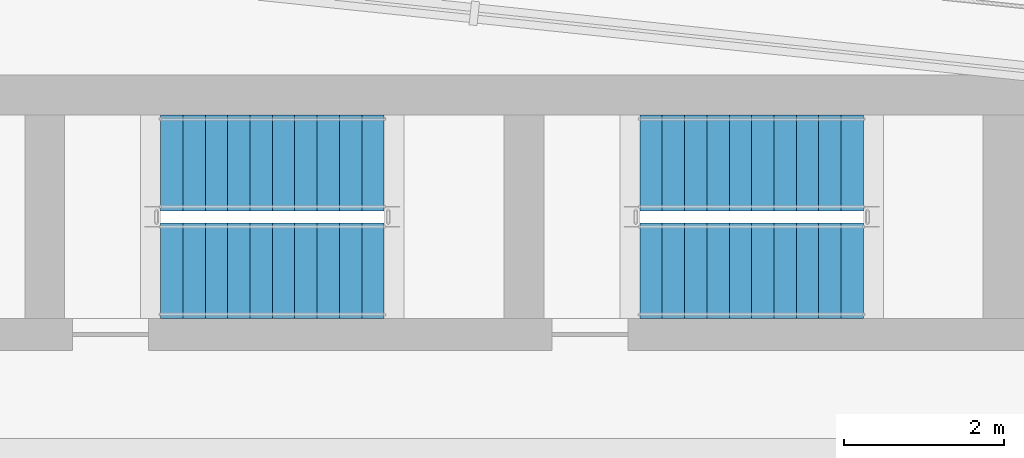
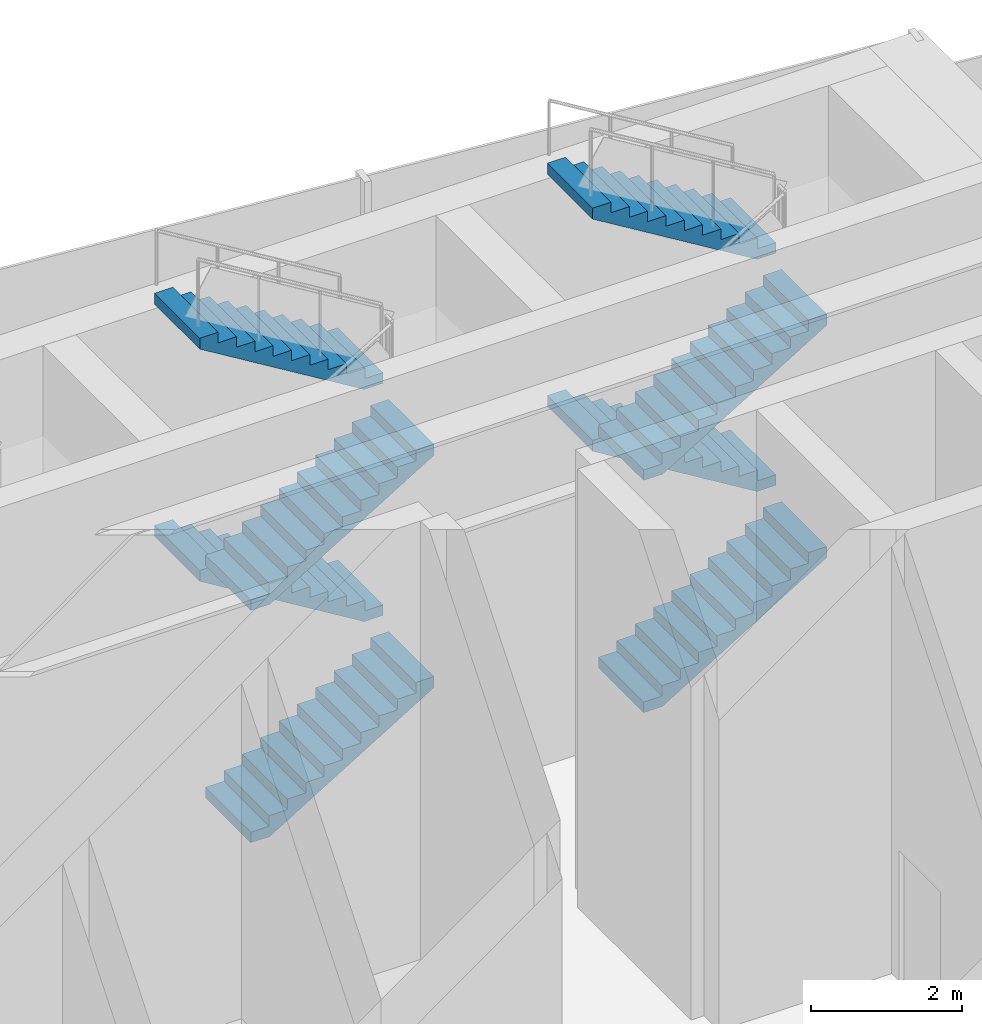
# One storey, part 10 of 14: 8 stair flights, 2 elements without a shape of their own.
"""IFC4 building model written with IfcOpenShell, lengths in metres."""

import ifcopenshell
import ifcopenshell.guid

model = None  # the IFC model being written
_history = None  # IfcOwnerHistory: only IFC2X3 demands one
_inside = {}  # id of a spatial element -> (the spatial element, [elements in it])
_under = {}  # id of a project, library or spatial element -> (it, [spatial elements below it])
_declared = {}  # id of a project -> (the project, [libraries it declares])
_typed = {}  # id of a type object -> (the type object, [elements of that type])
_made_of = {}  # id of a material, layer set ... -> (it, [elements and type objects made of it])


def new_model(schema):
    """Start an empty IFC model of exactly this schema.

    Asked for "IFC4X3", IfcOpenShell would pick the latest addendum, in which some entities
    have other attributes; the version numbers below select the first issue.
    IFC2X3 requires an IfcOwnerHistory on every rooted entity: one is made here for all.
    """
    global model, _history
    if schema == "IFC4X3":
        model = ifcopenshell.file(schema_version=(4, 3, 0, 0))
    else:
        model = ifcopenshell.file(schema=schema)
    _inside.clear()
    _under.clear()
    _declared.clear()
    _typed.clear()
    _made_of.clear()
    _history = None
    if model.schema == "IFC2X3":
        org = make("IfcOrganization", Name="unknown")
        user = make(
            "IfcPersonAndOrganization",
            ThePerson=make("IfcPerson", FamilyName="unknown"),
            TheOrganization=org,
        )
        app = make(
            "IfcApplication",
            ApplicationDeveloper=org,
            Version="unknown",
            ApplicationFullName="unknown",
            ApplicationIdentifier="unknown",
        )
        _history = make(
            "IfcOwnerHistory",
            OwningUser=user,
            OwningApplication=app,
            ChangeAction="ADDED",
            CreationDate=0,
        )
    return model


def make(cls, **values):
    """One entity of the class cls with the attributes given. An attribute that is None is left unset."""
    return model.create_entity(
        cls, **{name: value for name, value in values.items() if value is not None}
    )


def rooted(cls, **values):
    """An entity with a GlobalId (a new one), such as an element, a storey or a relation."""
    return make(cls, GlobalId=ifcopenshell.guid.new(), OwnerHistory=_history, **values)


def si_unit(unit_type, name, prefix=None):
    """IfcSIUnit, for example si_unit("LENGTHUNIT", "METRE", prefix="MILLI")."""
    return make("IfcSIUnit", UnitType=unit_type, Prefix=prefix, Name=name)


def assignment(units):
    """IfcUnitAssignment: the units of a project."""
    return None if units is None else make("IfcUnitAssignment", Units=units)


def point(xyz):
    """IfcCartesianPoint."""
    return None if xyz is None else make("IfcCartesianPoint", Coordinates=xyz)


def direction(xyz):
    """IfcDirection."""
    return None if xyz is None else make("IfcDirection", DirectionRatios=xyz)


def frame(location, z_axis=None, x_axis=None):
    """IfcAxis2Placement3D, a coordinate frame: its origin and axes. An axis left out is left unset."""
    return make(
        "IfcAxis2Placement3D",
        Location=point(location),
        Axis=direction(z_axis),
        RefDirection=direction(x_axis),
    )


def origin():
    """The frame at (0, 0, 0) with its axes left unset."""
    return frame((0.0, 0.0, 0.0))


def place(relative_to, where):
    """IfcLocalPlacement: puts the frame where relative to a parent placement (None: the world)."""
    return make(
        "IfcLocalPlacement", PlacementRelTo=relative_to, RelativePlacement=where
    )


def context(
    kind, dimensions, precision=None, world=None, true_north=None, identifier=None
):
    """IfcGeometricRepresentationContext, for example the 3D "Model" context."""
    return make(
        "IfcGeometricRepresentationContext",
        ContextIdentifier=identifier,
        ContextType=kind,
        CoordinateSpaceDimension=dimensions,
        Precision=precision,
        WorldCoordinateSystem=world,
        TrueNorth=true_north,
    )


def subcontext(parent, identifier, kind, view, scale=None):
    """IfcGeometricRepresentationSubContext, for example "Body" below "Model"."""
    return make(
        "IfcGeometricRepresentationSubContext",
        ContextIdentifier=identifier,
        ContextType=kind,
        ParentContext=parent,
        TargetScale=scale,
        TargetView=view,
    )


def project(units=None, contexts=None):
    """IfcProject with its units and contexts."""
    return rooted(
        "IfcProject",
        Name="project",
        RepresentationContexts=contexts,
        UnitsInContext=assignment(units),
    )


def spatial(cls, under=None, at=None, **own):
    """A site, building, storey or space (cls), placed at a placement, below another one or the project."""
    s = rooted(cls, ObjectPlacement=at, **own)
    if under is not None:
        _under.setdefault(under.id(), (under, []))[1].append(s)
    return s


def polyline(points):
    """IfcPolyline through the points."""
    return make("IfcPolyline", Points=[point(p) for p in points])


def outline(outer, holes=None, kind="AREA"):
    """IfcArbitraryClosedProfileDef: a profile drawn as a closed curve; with holes, ...WithVoids."""
    if holes is None:
        return make("IfcArbitraryClosedProfileDef", ProfileType=kind, OuterCurve=outer)
    return make(
        "IfcArbitraryProfileDefWithVoids",
        ProfileType=kind,
        OuterCurve=outer,
        InnerCurves=holes,
    )


def extrude(swept, where, along, depth):
    """IfcExtrudedAreaSolid: the profile swept, set in the frame where, extruded along a direction by depth."""
    return make(
        "IfcExtrudedAreaSolid",
        SweptArea=swept,
        Position=where,
        ExtrudedDirection=direction(along),
        Depth=depth,
    )


def shape(context_of_items, identifier, shape_type, items):
    """IfcShapeRepresentation: the items that make up one representation, for example the "Body"."""
    return make(
        "IfcShapeRepresentation",
        ContextOfItems=context_of_items,
        RepresentationIdentifier=identifier,
        RepresentationType=shape_type,
        Items=items,
    )


def material(Name=None, Category=None):
    """IfcMaterial."""
    return make("IfcMaterial", Name=Name, Category=Category)


def made_of(thing, what):
    """Note that an element or type object is made of a material, layer set ...; save() writes the relation."""
    if what is not None:
        _made_of.setdefault(what.id(), (what, []))[1].append(thing)
    return thing


def type_object(cls, material=None, **own):
    """A type object (cls), such as IfcWallType, which elements share."""
    return made_of(rooted(cls, **own), material)


def element(
    cls,
    number,
    at=None,
    inside=None,
    cuts=None,
    type_object=None,
    material=None,
    context=None,
    identifier="Body",
    shape_type=None,
    held_by="IfcProductDefinitionShape",
    body=None,
    shapes=None,
    **own,
):
    """One element of the class cls, such as IfcWall. Its Tag is "e" and its number.

    at: its placement. inside: the storey or other place that contains it. cuts: it is an
    opening in that element (IfcRelVoidsElement). A single representation is given by context,
    identifier, shape_type and body (its items); several are given by shapes. held_by: the class
    of the entity that holds the representations. save() writes the other relations.
    """
    e = rooted(cls, Tag="e%d" % number, ObjectPlacement=at, **own)
    if body is not None:
        shapes = [shape(context, identifier, shape_type, body)]
    if shapes is not None:
        e.Representation = make(held_by, Representations=shapes)
    if inside is not None:
        _inside.setdefault(inside.id(), (inside, []))[1].append(e)
    if cuts is not None:
        rooted(
            "IfcRelVoidsElement", RelatingBuildingElement=cuts, RelatedOpeningElement=e
        )
    if type_object is not None:
        _typed.setdefault(type_object.id(), (type_object, []))[1].append(e)
    return made_of(e, material)


def aggregate(whole, parts):
    """IfcRelAggregates: a whole, such as a stair, and the parts it consists of."""
    return rooted("IfcRelAggregates", RelatingObject=whole, RelatedObjects=parts)


def save(model, path):
    """Write the relations noted so far, then the file.

    IfcRelAggregates (storeys below a building ...), IfcRelContainedInSpatialStructure (elements
    in a storey), IfcRelDefinesByType, IfcRelAssociatesMaterial and IfcRelDeclares: one each for
    every whole, place, type object, material and project.
    """
    for whole, parts in _under.values():
        aggregate(whole, parts)
    for where, things in _inside.values():
        rooted(
            "IfcRelContainedInSpatialStructure",
            RelatedElements=things,
            RelatingStructure=where,
        )
    for kind, things in _typed.values():
        rooted("IfcRelDefinesByType", RelatedObjects=things, RelatingType=kind)
    for what, things in _made_of.values():
        rooted("IfcRelAssociatesMaterial", RelatedObjects=things, RelatingMaterial=what)
    for by, libraries in _declared.values():
        rooted("IfcRelDeclares", RelatingContext=by, RelatedDefinitions=libraries)
    model.write(path)


model = new_model("IFC4")

# Units and contexts
model_context = context("Model", 3, precision=1e-05, world=origin(), true_north=direction((0.0, 1.0)))
body_context = subcontext(model_context, "Body", "Model", "MODEL_VIEW")
ifc_project = project(units=[si_unit("LENGTHUNIT", "METRE"), si_unit("AREAUNIT", "SQUARE_METRE"), si_unit("VOLUMEUNIT", "CUBIC_METRE"), si_unit("PLANEANGLEUNIT", "RADIAN"), si_unit("MASSUNIT", "GRAM", prefix="KILO")], contexts=[model_context])

# Site, building, storey
site_placement = place(None, origin())
site = spatial("IfcSite", under=ifc_project, at=site_placement, CompositionType="ELEMENT")
building_placement = place(site_placement, origin())
building = spatial("IfcBuilding", under=site, at=building_placement, Name="Vidyagriha Tower", CompositionType="ELEMENT")
storey_placement = place(building_placement, frame((0.0, 0.0, 301.699951171875)))
storey = spatial("IfcBuildingStorey", under=building, at=storey_placement, Name="L78", CompositionType="ELEMENT", Elevation=301.699951171875)

# Stair, stair flights
ifc_material_1 = material(Name="Concrete C40/50", Category="concrete")
stair_type = type_object("IfcStairType", Name="Exit stair, half-turn, precast flights", PredefinedType="HALF_TURN_STAIR", material=ifc_material_1)
stair_1_placement = place(storey_placement, origin())
stair_1 = element("IfcStair", 1, at=stair_1_placement, inside=storey, type_object=stair_type, Name="L78 Exit Stair ST2", PredefinedType="HALF_TURN_STAIR")
ifc_material_2 = material(Name="Precast concrete C40/50", Category="concrete")
stair_flight_type = type_object("IfcStairFlightType", Name="Exit stair flight 1200 mm, precast", PredefinedType="STRAIGHT", material=ifc_material_2)
stair_flight_1_placement = place(storey_placement, frame((-2.0, 17.550048828125, 0.0)))
stair_flight_1 = element("IfcStairFlight", 2, at=stair_flight_1_placement, type_object=stair_flight_type, Name="ST2 flight 1", NumberOfRisers=11, NumberOfTreads=10, PredefinedType="STRAIGHT", RiserHeight=0.170454545, TreadLength=0.28, context=body_context, shape_type="SweptSolid", body=[
    extrude(outline(polyline([(0.0, 0.0), (0.0, 0.17041015625), (0.280029296875, 0.17041015625), (0.280029296875, 0.3408203125), (0.56005859375, 0.3408203125), (0.56005859375, 0.511474609375), (0.840087890625, 0.511474609375), (0.840087890625, 0.681884765625), (1.1201171875, 0.681884765625), (1.1201171875, 0.852294921875), (1.39990234375, 0.852294921875), (1.39990234375, 1.022705078125), (1.679931640625, 1.022705078125), (1.679931640625, 1.193115234375), (1.9599609375, 1.193115234375), (1.9599609375, 1.363525390625), (2.239990234375, 1.363525390625), (2.239990234375, 1.5341796875), (2.52001953125, 1.5341796875), (2.52001953125, 1.70458984375), (2.800048828125, 1.70458984375), (2.800048828125, 1.875), (2.800048828125, 1.529052734375), (0.288330078125, 0.0), (0.0, 0.0)])), frame((0.0, 0.60009765625, 0.0), z_axis=(0.0, -1.0, 0.0), x_axis=(1.0, 0.0, 0.0)), (0.0, 0.0, 1.0), 1.199951171875),
])
stair_flight_2_placement = place(storey_placement, frame((0.800048828125, 18.89990234375, 1.875), z_axis=(0.0, 0.0, 1.0), x_axis=(-1.0, 0.0, 0.0)))
stair_flight_2 = element("IfcStairFlight", 3, at=stair_flight_2_placement, type_object=stair_flight_type, Name="ST2 flight 2", NumberOfRisers=11, NumberOfTreads=10, PredefinedType="STRAIGHT", RiserHeight=0.170454545, TreadLength=0.28, context=body_context, shape_type="SweptSolid", body=[
    extrude(outline(polyline([(0.0, 0.0), (0.0, 0.17041015625), (0.280029296875, 0.17041015625), (0.280029296875, 0.3408203125), (0.56005859375, 0.3408203125), (0.56005859375, 0.511474609375), (0.840087890625, 0.511474609375), (0.840087890625, 0.681884765625), (1.1201171875, 0.681884765625), (1.1201171875, 0.852294921875), (1.39990234375, 0.852294921875), (1.39990234375, 1.022705078125), (1.679931640625, 1.022705078125), (1.679931640625, 1.193115234375), (1.9599609375, 1.193115234375), (1.9599609375, 1.363525390625), (2.239990234375, 1.363525390625), (2.239990234375, 1.5341796875), (2.52001953125, 1.5341796875), (2.52001953125, 1.70458984375), (2.800048828125, 1.70458984375), (2.800048828125, 1.875), (2.800048828125, 1.529052734375), (0.288330078125, 0.0), (0.0, 0.0)])), frame((0.0, 0.60009765625, 0.0), z_axis=(0.0, -1.0, 0.0), x_axis=(1.0, 0.0, 0.0)), (0.0, 0.0, 1.0), 1.199951171875),
])
stair_flight_3_placement = place(storey_placement, frame((-2.0, 17.550048828125, 3.75)))
stair_flight_3 = element("IfcStairFlight", 4, at=stair_flight_3_placement, type_object=stair_flight_type, Name="ST2 flight 3", NumberOfRisers=11, NumberOfTreads=10, PredefinedType="STRAIGHT", RiserHeight=0.170454545, TreadLength=0.28, context=body_context, shape_type="SweptSolid", body=[
    extrude(outline(polyline([(0.0, 0.0), (0.0, 0.17041015625), (0.280029296875, 0.17041015625), (0.280029296875, 0.3408203125), (0.56005859375, 0.3408203125), (0.56005859375, 0.511474609375), (0.840087890625, 0.511474609375), (0.840087890625, 0.681884765625), (1.1201171875, 0.681884765625), (1.1201171875, 0.852294921875), (1.39990234375, 0.852294921875), (1.39990234375, 1.022705078125), (1.679931640625, 1.022705078125), (1.679931640625, 1.193115234375), (1.9599609375, 1.193115234375), (1.9599609375, 1.363525390625), (2.239990234375, 1.363525390625), (2.239990234375, 1.5341796875), (2.52001953125, 1.5341796875), (2.52001953125, 1.70458984375), (2.800048828125, 1.70458984375), (2.800048828125, 1.875), (2.800048828125, 1.529052734375), (0.288330078125, 0.0), (0.0, 0.0)])), frame((0.0, 0.60009765625, 0.0), z_axis=(0.0, -1.0, 0.0), x_axis=(1.0, 0.0, 0.0)), (0.0, 0.0, 1.0), 1.199951171875),
])
stair_flight_4_placement = place(storey_placement, frame((0.800048828125, 18.89990234375, 5.625), z_axis=(0.0, 0.0, 1.0), x_axis=(-1.0, 0.0, 0.0)))
stair_flight_4 = element("IfcStairFlight", 5, at=stair_flight_4_placement, type_object=stair_flight_type, Name="ST2 flight 4", NumberOfRisers=11, NumberOfTreads=10, PredefinedType="STRAIGHT", RiserHeight=0.170454545, TreadLength=0.28, context=body_context, shape_type="SweptSolid", body=[
    extrude(outline(polyline([(0.0, 0.0), (0.0, 0.17041015625), (0.280029296875, 0.17041015625), (0.280029296875, 0.3408203125), (0.56005859375, 0.3408203125), (0.56005859375, 0.511474609375), (0.840087890625, 0.511474609375), (0.840087890625, 0.681884765625), (1.1201171875, 0.681884765625), (1.1201171875, 0.852294921875), (1.39990234375, 0.852294921875), (1.39990234375, 1.022705078125), (1.679931640625, 1.022705078125), (1.679931640625, 1.193115234375), (1.9599609375, 1.193115234375), (1.9599609375, 1.363525390625), (2.239990234375, 1.363525390625), (2.239990234375, 1.5341796875), (2.52001953125, 1.5341796875), (2.52001953125, 1.70458984375), (2.800048828125, 1.70458984375), (2.800048828125, 1.875), (2.800048828125, 1.529052734375), (0.288330078125, 0.0), (0.0, 0.0)])), frame((0.0, 0.60009765625, 0.0), z_axis=(0.0, -1.0, 0.0), x_axis=(1.0, 0.0, 0.0)), (0.0, 0.0, 1.0), 1.199951171875),
])
aggregate(stair_1, [stair_flight_1, stair_flight_2, stair_flight_3, stair_flight_4])

stair_2_placement = place(storey_placement, origin())
stair_2 = element("IfcStair", 6, at=stair_2_placement, inside=storey, type_object=stair_type, Name="L78 Exit Stair ST3", PredefinedType="HALF_TURN_STAIR")
stair_flight_5_placement = place(storey_placement, frame((4.0, 17.550048828125, 0.0)))
stair_flight_5 = element("IfcStairFlight", 7, at=stair_flight_5_placement, type_object=stair_flight_type, Name="ST3 flight 1", NumberOfRisers=11, NumberOfTreads=10, PredefinedType="STRAIGHT", RiserHeight=0.170454545, TreadLength=0.28, context=body_context, shape_type="SweptSolid", body=[
    extrude(outline(polyline([(0.0, 0.0), (0.0, 0.17041015625), (0.280029296875, 0.17041015625), (0.280029296875, 0.3408203125), (0.56005859375, 0.3408203125), (0.56005859375, 0.511474609375), (0.840087890625, 0.511474609375), (0.840087890625, 0.681884765625), (1.1201171875, 0.681884765625), (1.1201171875, 0.852294921875), (1.39990234375, 0.852294921875), (1.39990234375, 1.022705078125), (1.679931640625, 1.022705078125), (1.679931640625, 1.193115234375), (1.9599609375, 1.193115234375), (1.9599609375, 1.363525390625), (2.239990234375, 1.363525390625), (2.239990234375, 1.5341796875), (2.52001953125, 1.5341796875), (2.52001953125, 1.70458984375), (2.800048828125, 1.70458984375), (2.800048828125, 1.875), (2.800048828125, 1.529052734375), (0.288330078125, 0.0), (0.0, 0.0)])), frame((0.0, 0.60009765625, 0.0), z_axis=(0.0, -1.0, 0.0), x_axis=(1.0, 0.0, 0.0)), (0.0, 0.0, 1.0), 1.199951171875),
])
stair_flight_6_placement = place(storey_placement, frame((6.800048828125, 18.89990234375, 1.875), z_axis=(0.0, 0.0, 1.0), x_axis=(-1.0, 0.0, 0.0)))
stair_flight_6 = element("IfcStairFlight", 8, at=stair_flight_6_placement, type_object=stair_flight_type, Name="ST3 flight 2", NumberOfRisers=11, NumberOfTreads=10, PredefinedType="STRAIGHT", RiserHeight=0.170454545, TreadLength=0.28, context=body_context, shape_type="SweptSolid", body=[
    extrude(outline(polyline([(0.0, 0.0), (0.0, 0.17041015625), (0.280029296875, 0.17041015625), (0.280029296875, 0.3408203125), (0.56005859375, 0.3408203125), (0.56005859375, 0.511474609375), (0.840087890625, 0.511474609375), (0.840087890625, 0.681884765625), (1.1201171875, 0.681884765625), (1.1201171875, 0.852294921875), (1.39990234375, 0.852294921875), (1.39990234375, 1.022705078125), (1.679931640625, 1.022705078125), (1.679931640625, 1.193115234375), (1.9599609375, 1.193115234375), (1.9599609375, 1.363525390625), (2.239990234375, 1.363525390625), (2.239990234375, 1.5341796875), (2.52001953125, 1.5341796875), (2.52001953125, 1.70458984375), (2.800048828125, 1.70458984375), (2.800048828125, 1.875), (2.800048828125, 1.529052734375), (0.288330078125, 0.0), (0.0, 0.0)])), frame((0.0, 0.60009765625, 0.0), z_axis=(0.0, -1.0, 0.0), x_axis=(1.0, 0.0, 0.0)), (0.0, 0.0, 1.0), 1.199951171875),
])
stair_flight_7_placement = place(storey_placement, frame((4.0, 17.550048828125, 3.75)))
stair_flight_7 = element("IfcStairFlight", 9, at=stair_flight_7_placement, type_object=stair_flight_type, Name="ST3 flight 3", NumberOfRisers=11, NumberOfTreads=10, PredefinedType="STRAIGHT", RiserHeight=0.170454545, TreadLength=0.28, context=body_context, shape_type="SweptSolid", body=[
    extrude(outline(polyline([(0.0, 0.0), (0.0, 0.17041015625), (0.280029296875, 0.17041015625), (0.280029296875, 0.3408203125), (0.56005859375, 0.3408203125), (0.56005859375, 0.511474609375), (0.840087890625, 0.511474609375), (0.840087890625, 0.681884765625), (1.1201171875, 0.681884765625), (1.1201171875, 0.852294921875), (1.39990234375, 0.852294921875), (1.39990234375, 1.022705078125), (1.679931640625, 1.022705078125), (1.679931640625, 1.193115234375), (1.9599609375, 1.193115234375), (1.9599609375, 1.363525390625), (2.239990234375, 1.363525390625), (2.239990234375, 1.5341796875), (2.52001953125, 1.5341796875), (2.52001953125, 1.70458984375), (2.800048828125, 1.70458984375), (2.800048828125, 1.875), (2.800048828125, 1.529052734375), (0.288330078125, 0.0), (0.0, 0.0)])), frame((0.0, 0.60009765625, 0.0), z_axis=(0.0, -1.0, 0.0), x_axis=(1.0, 0.0, 0.0)), (0.0, 0.0, 1.0), 1.199951171875),
])
stair_flight_8_placement = place(storey_placement, frame((6.800048828125, 18.89990234375, 5.625), z_axis=(0.0, 0.0, 1.0), x_axis=(-1.0, 0.0, 0.0)))
stair_flight_8 = element("IfcStairFlight", 10, at=stair_flight_8_placement, type_object=stair_flight_type, Name="ST3 flight 4", NumberOfRisers=11, NumberOfTreads=10, PredefinedType="STRAIGHT", RiserHeight=0.170454545, TreadLength=0.28, context=body_context, shape_type="SweptSolid", body=[
    extrude(outline(polyline([(0.0, 0.0), (0.0, 0.17041015625), (0.280029296875, 0.17041015625), (0.280029296875, 0.3408203125), (0.56005859375, 0.3408203125), (0.56005859375, 0.511474609375), (0.840087890625, 0.511474609375), (0.840087890625, 0.681884765625), (1.1201171875, 0.681884765625), (1.1201171875, 0.852294921875), (1.39990234375, 0.852294921875), (1.39990234375, 1.022705078125), (1.679931640625, 1.022705078125), (1.679931640625, 1.193115234375), (1.9599609375, 1.193115234375), (1.9599609375, 1.363525390625), (2.239990234375, 1.363525390625), (2.239990234375, 1.5341796875), (2.52001953125, 1.5341796875), (2.52001953125, 1.70458984375), (2.800048828125, 1.70458984375), (2.800048828125, 1.875), (2.800048828125, 1.529052734375), (0.288330078125, 0.0), (0.0, 0.0)])), frame((0.0, 0.60009765625, 0.0), z_axis=(0.0, -1.0, 0.0), x_axis=(1.0, 0.0, 0.0)), (0.0, 0.0, 1.0), 1.199951171875),
])
aggregate(stair_2, [stair_flight_5, stair_flight_6, stair_flight_7, stair_flight_8])

save(model, "model.ifc")
